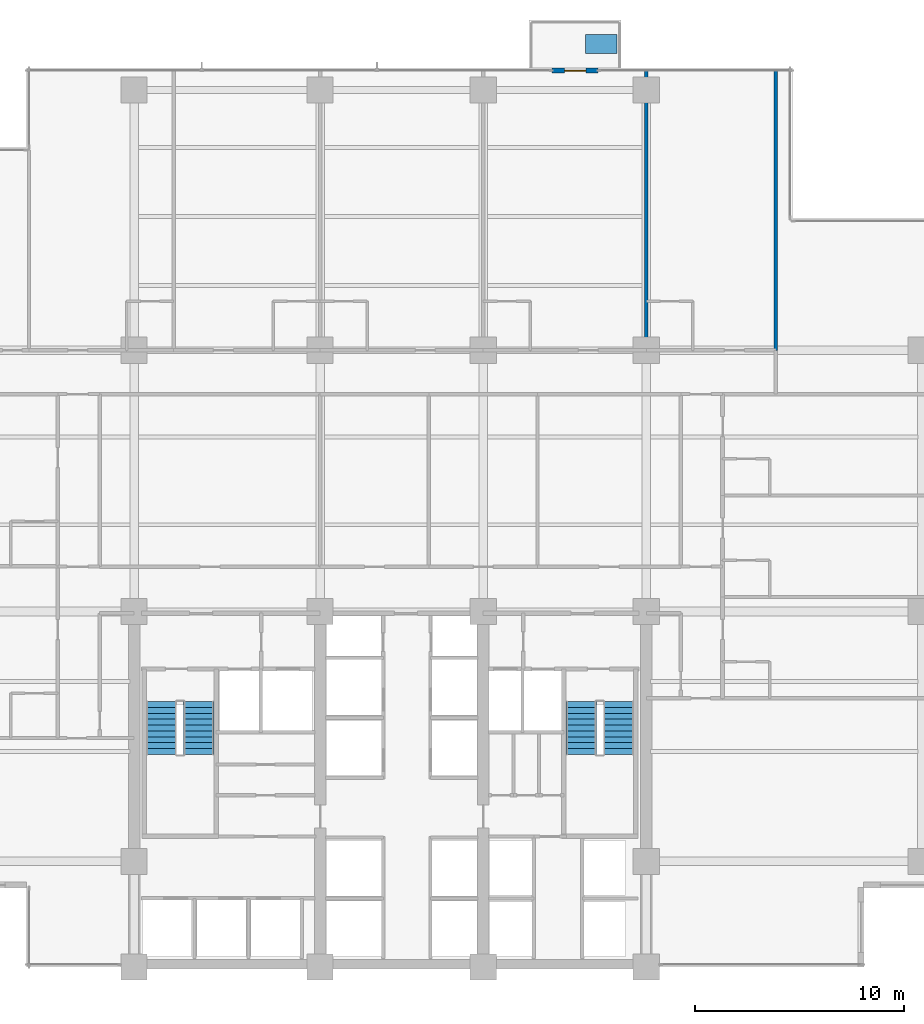
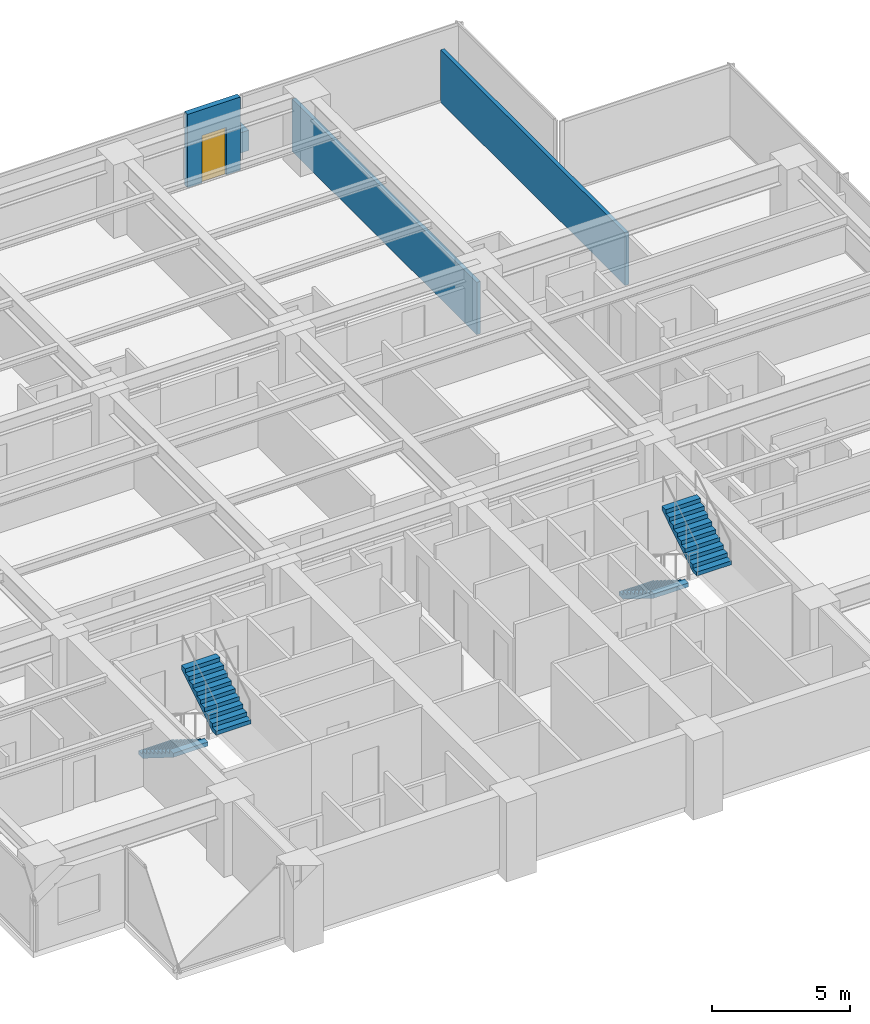
# One storey, part 12 of 17: 4 stair flights, 3 walls, 1 discrete accessory, 1 door, 1 opening, 2 elements without a shape of their own.
"""IFC4 building model written with IfcOpenShell, lengths in metres."""

from ifc_helpers import new_model, si_unit, direction, frame, frame_2d, origin, place, context, subcontext, project, spatial, polyline, rectangle, outline, extrude, material, layer, layer_set, type_object, element, fill, aggregate, save


model = new_model("IFC4")

# Units and contexts
model_context = context("Model", 3, precision=1e-05, world=origin(), true_north=direction((0.0, 1.0)))
body_context = subcontext(model_context, "Body", "Model", "MODEL_VIEW")
ifc_project = project(units=[si_unit("LENGTHUNIT", "METRE"), si_unit("AREAUNIT", "SQUARE_METRE"), si_unit("VOLUMEUNIT", "CUBIC_METRE"), si_unit("PLANEANGLEUNIT", "RADIAN"), si_unit("MASSUNIT", "GRAM", prefix="KILO")], contexts=[model_context])

# Site, building, storey
site_placement = place(None, origin())
site = spatial("IfcSite", under=ifc_project, at=site_placement, CompositionType="ELEMENT")
building_placement = place(site_placement, origin())
building = spatial("IfcBuilding", under=site, at=building_placement, Name="Qalmaran Belvedere Hotel", CompositionType="ELEMENT")
storey_placement = place(building_placement, frame((0.0, 0.0, 88.199951171875)))
storey = spatial("IfcBuildingStorey", under=building, at=storey_placement, Name="L21", CompositionType="ELEMENT", Elevation=88.199951171875)

# Wall, opening, door
ifc_material_1 = material(Name="Anodised Bronze Cladding")
ifc_layer_1 = layer(ifc_material_1, 0.22509765625, Name="Anodised Bronze Cladding")
ifc_layer_set_1 = layer_set([ifc_layer_1], Name="Anodised Bronze Cladding")
wall_type_1 = type_object("IfcWallType", Name="WL-BAL-PORT-225", PredefinedType="SOLIDWALL", material=ifc_layer_set_1)
wall_placement = place(storey_placement, frame((40.300048828125, 46.3798828125, 0.0), z_axis=(0.0, 0.0, 1.0), x_axis=(1.0, 0.0, 0.0)))
wall = element("IfcWall", 1, at=wall_placement, inside=storey, type_object=wall_type_1, Name="L21 Tree Balcony Door Portal", PredefinedType="SOLIDWALL", context=body_context, shape_type="SweptSolid", body=[
    extrude(rectangle(XDim=2.199951171875, YDim=0.22509765625, at=frame_2d((1.10009765625, 0.0))), origin(), (0.0, 0.0, 1.0), 3.239990234375),
])
opening_placement = place(wall_placement, frame((0.590087890625, 0.0, 0.0)))
opening = element("IfcOpeningElement", 2, at=opening_placement, cuts=wall, Name="Opening BL-102", PredefinedType="OPENING", context=body_context, shape_type="SweptSolid", body=[
    extrude(rectangle(XDim=1.02001953125, YDim=2.10009765625, at=frame_2d((0.510009765625, 1.050048828125))), frame((0.0, 0.12255859375, 0.0), z_axis=(0.0, -1.0, 0.0), x_axis=(1.0, 0.0, 0.0)), (0.0, 0.0, 1.0), 0.2451171875),
])
ifc_material_2 = material(Name="Anodised Bronze Aluminium", Category="aluminium")
door_type = type_object("IfcDoorType", Name="DR-BAL-1020X2100", OperationType="NOTDEFINED", PredefinedType="DOOR", material=ifc_material_2)
door_placement = place(opening_placement, origin())
door = element("IfcDoor", 3, at=door_placement, inside=storey, type_object=door_type, Name="L21 Planted Tree Balcony Door", OperationType="SINGLE_SWING_RIGHT", OverallHeight=2.10009765625, OverallWidth=1.02001953125, PredefinedType="DOOR", context=body_context, shape_type="SweptSolid", body=[
    extrude(rectangle(XDim=1.02001953125, YDim=2.10009765625, at=frame_2d((0.510009765625, 1.050048828125))), frame((0.0, 0.02490234375, 0.0), z_axis=(0.0, -1.0, 0.0), x_axis=(1.0, 0.0, 0.0)), (0.0, 0.0, 1.0), 0.050048828125),
])
fill(opening, door)

# Walls
ifc_material_3 = material(Name="Gypsum Stud Partition")
ifc_layer_2 = layer(ifc_material_3, 0.159912109375, Name="Gypsum Stud Partition")
ifc_layer_set_2 = layer_set([ifc_layer_2], Name="Gypsum Stud Partition")
wall_type_2 = type_object("IfcWallType", Name="WL-INT-160-EI60", PredefinedType="PARTITIONING", material=ifc_layer_set_2)
for number, where, z_axis, x_axis, name in (
    (4, (44.800048828125, 33.0, 0.0), (0.0, 0.0, 1.0), (0.0, 1.0, 0.0), "L21 Partition WL-L21-NUR03"),
    (5, (51.0, 33.0, 0.0), (0.0, 0.0, 1.0), (0.0, 1.0, 0.0), "L21 Partition WL-L21-NUR04"),
):
    element("IfcWall", number, at=place(storey_placement, frame(where, z_axis=z_axis, x_axis=x_axis)), inside=storey, type_object=wall_type_2, Name=name, PredefinedType="PARTITIONING", context=body_context, shape_type="SweptSolid", body=[
        extrude(rectangle(XDim=13.3798828125, YDim=0.159912109375, at=frame_2d((6.68994140625, 0.0))), origin(), (0.0, 0.0, 1.0), 2.31298828125),
    ])

# Stair, stair flights
ifc_material_4 = material(Name="Concrete C40/50", Category="concrete")
stair_type_1 = type_object("IfcStairType", Name="STR-ST-1-1450-R1750", PredefinedType="HALF_TURN_STAIR", material=ifc_material_4)
stair_1_placement = place(storey_placement, origin())
stair_1 = element("IfcStair", 6, at=stair_1_placement, inside=storey, type_object=stair_type_1, Name="L21 West Core Exit Stair ST-1", PredefinedType="HALF_TURN_STAIR")
ifc_layer_3 = layer(ifc_material_4, 0.14990234375, Name="Concrete C40/50")
ifc_layer_set_3 = layer_set([ifc_layer_3], Name="Concrete C40/50")
stair_flight_type_1 = type_object("IfcStairFlightType", Name="STF-ST-1-1450-R1750", PredefinedType="STRAIGHT", material=ifc_layer_set_3)
stair_flight_1_placement = place(storey_placement, frame((21.60498046875, 16.18994140625, 0.0), z_axis=(0.0, 0.0, 1.0), x_axis=(0.0, -1.0, 0.0)))
stair_flight_1 = element("IfcStairFlight", 7, at=stair_flight_1_placement, type_object=stair_flight_type_1, Name="ST-1 flight 1", NumberOfRisers=10, NumberOfTreads=9, PredefinedType="STRAIGHT", RiserHeight=0.175, TreadLength=0.28, context=body_context, shape_type="SweptSolid", body=[
    extrude(outline(polyline([(0.0, 0.0), (0.0, 0.175048828125), (0.280029296875, 0.175048828125), (0.280029296875, 0.35009765625), (0.56005859375, 0.35009765625), (0.56005859375, 0.52490234375), (0.840087890625, 0.52490234375), (0.840087890625, 0.699951171875), (1.1201171875, 0.699951171875), (1.1201171875, 0.875), (1.39990234375, 0.875), (1.39990234375, 1.050048828125), (1.679931640625, 1.050048828125), (1.679931640625, 1.22509765625), (1.9599609375, 1.22509765625), (1.9599609375, 1.39990234375), (2.239990234375, 1.39990234375), (2.239990234375, 1.574951171875), (2.52001953125, 1.574951171875), (2.52001953125, 1.75), (2.52001953125, 1.398193359375), (0.28271484375, 0.0), (0.0, 0.0)])), frame((0.0, 0.72509765625, 0.0), z_axis=(0.0, -1.0, 0.0), x_axis=(1.0, 0.0, 0.0)), (0.0, 0.0, 1.0), 1.449951171875),
])
stair_flight_2_placement = place(storey_placement, frame((23.39501953125, 13.669921875, 1.75), z_axis=(0.0, 0.0, 1.0), x_axis=(0.0, 1.0, 0.0)))
stair_flight_2 = element("IfcStairFlight", 8, at=stair_flight_2_placement, type_object=stair_flight_type_1, Name="ST-1 flight 2", NumberOfRisers=10, NumberOfTreads=9, PredefinedType="STRAIGHT", RiserHeight=0.175, TreadLength=0.28, context=body_context, shape_type="SweptSolid", body=[
    extrude(outline(polyline([(0.0, 0.0), (0.0, 0.175048828125), (0.280029296875, 0.175048828125), (0.280029296875, 0.35009765625), (0.56005859375, 0.35009765625), (0.56005859375, 0.52490234375), (0.840087890625, 0.52490234375), (0.840087890625, 0.699951171875), (1.1201171875, 0.699951171875), (1.1201171875, 0.875), (1.39990234375, 0.875), (1.39990234375, 1.050048828125), (1.679931640625, 1.050048828125), (1.679931640625, 1.22509765625), (1.9599609375, 1.22509765625), (1.9599609375, 1.39990234375), (2.239990234375, 1.39990234375), (2.239990234375, 1.574951171875), (2.52001953125, 1.574951171875), (2.52001953125, 1.75), (2.52001953125, 1.398193359375), (0.28271484375, 0.0), (0.0, 0.0)])), frame((0.0, 0.72509765625, 0.0), z_axis=(0.0, -1.0, 0.0), x_axis=(1.0, 0.0, 0.0)), (0.0, 0.0, 1.0), 1.449951171875),
])
aggregate(stair_1, [stair_flight_1, stair_flight_2])

stair_type_2 = type_object("IfcStairType", Name="STR-ST-2-1450-R1750", PredefinedType="HALF_TURN_STAIR", material=ifc_material_4)
stair_2_placement = place(storey_placement, origin())
stair_2 = element("IfcStair", 9, at=stair_2_placement, inside=storey, type_object=stair_type_2, Name="L21 East Core Exit Stair ST-2", PredefinedType="HALF_TURN_STAIR")
ifc_layer_4 = layer(ifc_material_4, 0.14990234375, Name="Concrete C40/50")
ifc_layer_set_4 = layer_set([ifc_layer_4], Name="Concrete C40/50")
stair_flight_type_2 = type_object("IfcStairFlightType", Name="STF-ST-2-1450-R1750", PredefinedType="STRAIGHT", material=ifc_layer_set_4)
stair_flight_3_placement = place(storey_placement, frame((41.68505859375, 16.18994140625, 0.0), z_axis=(0.0, 0.0, 1.0), x_axis=(0.0, -1.0, 0.0)))
stair_flight_3 = element("IfcStairFlight", 10, at=stair_flight_3_placement, type_object=stair_flight_type_2, Name="ST-2 flight 1", NumberOfRisers=10, NumberOfTreads=9, PredefinedType="STRAIGHT", RiserHeight=0.175, TreadLength=0.28, context=body_context, shape_type="SweptSolid", body=[
    extrude(outline(polyline([(0.0, 0.0), (0.0, 0.175048828125), (0.280029296875, 0.175048828125), (0.280029296875, 0.35009765625), (0.56005859375, 0.35009765625), (0.56005859375, 0.52490234375), (0.840087890625, 0.52490234375), (0.840087890625, 0.699951171875), (1.1201171875, 0.699951171875), (1.1201171875, 0.875), (1.39990234375, 0.875), (1.39990234375, 1.050048828125), (1.679931640625, 1.050048828125), (1.679931640625, 1.22509765625), (1.9599609375, 1.22509765625), (1.9599609375, 1.39990234375), (2.239990234375, 1.39990234375), (2.239990234375, 1.574951171875), (2.52001953125, 1.574951171875), (2.52001953125, 1.75), (2.52001953125, 1.398193359375), (0.28271484375, 0.0), (0.0, 0.0)])), frame((0.0, 0.72509765625, 0.0), z_axis=(0.0, -1.0, 0.0), x_axis=(1.0, 0.0, 0.0)), (0.0, 0.0, 1.0), 1.449951171875),
])
stair_flight_4_placement = place(storey_placement, frame((43.47509765625, 13.669921875, 1.75), z_axis=(0.0, 0.0, 1.0), x_axis=(0.0, 1.0, 0.0)))
stair_flight_4 = element("IfcStairFlight", 11, at=stair_flight_4_placement, type_object=stair_flight_type_2, Name="ST-2 flight 2", NumberOfRisers=10, NumberOfTreads=9, PredefinedType="STRAIGHT", RiserHeight=0.175, TreadLength=0.28, context=body_context, shape_type="SweptSolid", body=[
    extrude(outline(polyline([(0.0, 0.0), (0.0, 0.175048828125), (0.280029296875, 0.175048828125), (0.280029296875, 0.35009765625), (0.56005859375, 0.35009765625), (0.56005859375, 0.52490234375), (0.840087890625, 0.52490234375), (0.840087890625, 0.699951171875), (1.1201171875, 0.699951171875), (1.1201171875, 0.875), (1.39990234375, 0.875), (1.39990234375, 1.050048828125), (1.679931640625, 1.050048828125), (1.679931640625, 1.22509765625), (1.9599609375, 1.22509765625), (1.9599609375, 1.39990234375), (2.239990234375, 1.39990234375), (2.239990234375, 1.574951171875), (2.52001953125, 1.574951171875), (2.52001953125, 1.75), (2.52001953125, 1.398193359375), (0.28271484375, 0.0), (0.0, 0.0)])), frame((0.0, 0.72509765625, 0.0), z_axis=(0.0, -1.0, 0.0), x_axis=(1.0, 0.0, 0.0)), (0.0, 0.0, 1.0), 1.449951171875),
])
aggregate(stair_2, [stair_flight_3, stair_flight_4])

# Discrete accessory
discrete_accessory_type = type_object("IfcDiscreteAccessoryType", Name="PLN-BAL-1500", PredefinedType="USERDEFINED", material=ifc_material_4)
discrete_accessory_placement = place(storey_placement, origin())
element("IfcDiscreteAccessory", 12, at=discrete_accessory_placement, inside=storey, type_object=discrete_accessory_type, Name="L21 Sky Tree Planter", ObjectType="PLANTER", PredefinedType="USERDEFINED", context=body_context, shape_type="SweptSolid", body=[
    extrude(outline(polyline([(41.89990234375, 47.199951171875), (43.39990234375, 47.199951171875), (43.39990234375, 48.10009765625), (41.89990234375, 48.10009765625), (41.89990234375, 47.199951171875)])), origin(), (0.0, 0.0, 1.0), 0.900146484375),
])

save(model, "model.ifc")
